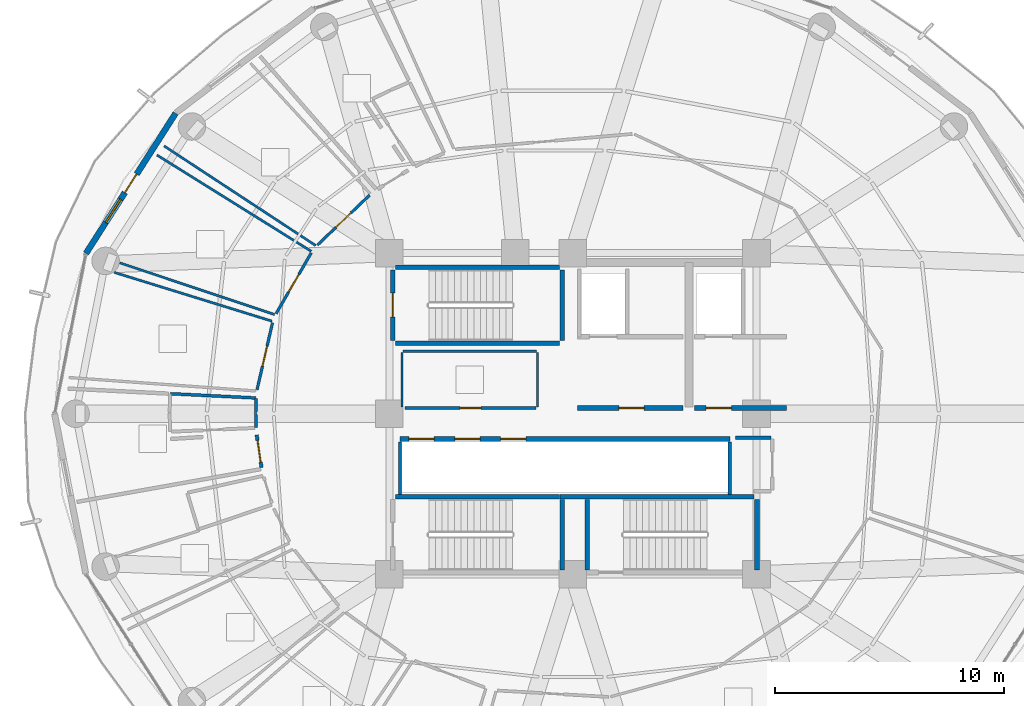
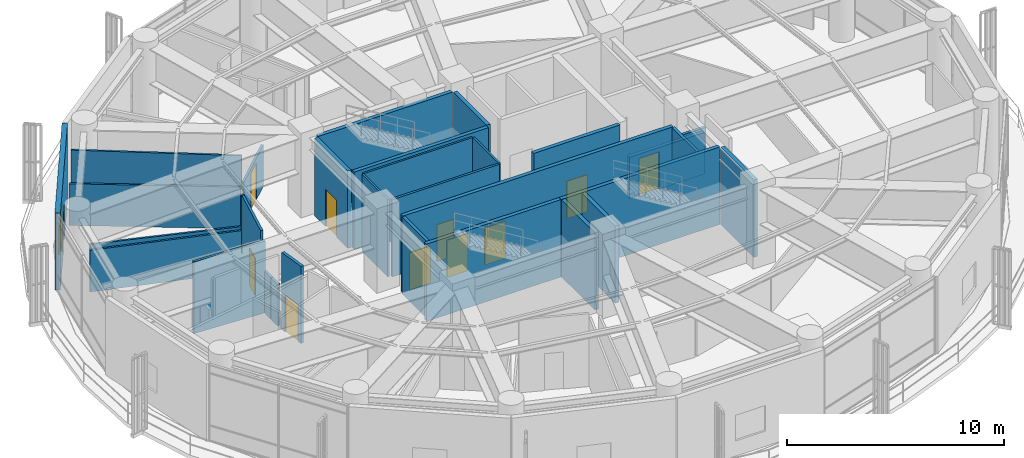
# One storey, part 22 of 28: 31 walls, 12 doors, 1 window, 13 openings.
"""IFC4 building model written with IfcOpenShell, lengths in metres."""

from ifc_helpers import new_model, si_unit, direction, frame, frame_2d, origin, place, context, subcontext, project, spatial, rectangle, extrude, material, layer, layer_set, type_object, element, fill, save


model = new_model("IFC4")

# Units and contexts
model_context = context("Model", 3, precision=1e-05, world=origin(), true_north=direction((0.0, 1.0)))
body_context = subcontext(model_context, "Body", "Model", "MODEL_VIEW")
ifc_project = project(units=[si_unit("LENGTHUNIT", "METRE"), si_unit("AREAUNIT", "SQUARE_METRE"), si_unit("VOLUMEUNIT", "CUBIC_METRE"), si_unit("PLANEANGLEUNIT", "RADIAN"), si_unit("MASSUNIT", "GRAM", prefix="KILO")], contexts=[model_context])

# Site, building, storey
site_placement = place(None, origin())
site = spatial("IfcSite", under=ifc_project, at=site_placement, CompositionType="ELEMENT")
building_placement = place(site_placement, origin())
building = spatial("IfcBuilding", under=site, at=building_placement, Name="Kelanora Arch Commons", CompositionType="ELEMENT")
storey_placement = place(building_placement, frame((0.0, 0.0, 184.35009765625)))
storey = spatial("IfcBuildingStorey", under=building, at=storey_placement, Name="L47", CompositionType="ELEMENT", Elevation=184.35009765625)

# Walls
ifc_material_1 = material(Name="Autoclaved aerated concrete blockwork with fire plaster", Category="masonry")
ifc_layer_1 = layer(ifc_material_1, 0.14990234375)
ifc_layer_set_1 = layer_set([ifc_layer_1], Name="Autoclaved aerated concrete blockwork with fire plaster")
wall_type_1 = type_object("IfcWallType", Name="W-COMP-150", PredefinedType="PARTITIONING", material=ifc_layer_set_1)
for number, where, z_axis, x_axis, name in (
    (1, (66.4599609375, 54.47998046875, 0.0), (0.0, 0.0, 1.0), (0.0, 1.0, 0.0), "South Lift Bank West Wall L47"),
    (2, (80.840087890625, 54.47998046875, 0.0), (0.0, 0.0, 1.0), (0.0, 1.0, 0.0), "South Lift Bank East Wall L47"),
):
    element("IfcWall", number, at=place(storey_placement, frame(where, z_axis=z_axis, x_axis=x_axis)), inside=storey, type_object=wall_type_1, Name=name, PredefinedType="PARTITIONING", context=body_context, shape_type="SweptSolid", body=[
        extrude(rectangle(XDim=2.2900390625, YDim=0.14990234375, at=frame_2d((1.14501953125, 0.0))), origin(), (0.0, 0.0, 1.0), 4.349853515625),
    ])

# Wall, opening, door
wall_1_placement = place(storey_placement, frame((60.212890625, 57.07568359375, 0.0), z_axis=(0.0, 0.0, 1.0), x_axis=(0.146099718117, -0.98926986832, 0.0)))
wall_1 = element("IfcWall", 3, at=wall_1_placement, inside=storey, type_object=wall_type_1, Name="Co-Living Studio L47-05 Entry Partition", PredefinedType="PARTITIONING", context=body_context, shape_type="SweptSolid", body=[
    extrude(rectangle(XDim=1.438720703125, YDim=0.14990234375, at=frame_2d((0.71923828125, 0.0))), origin(), (0.0, 0.0, 1.0), 4.349853515625),
])
opening_1_placement = place(wall_1_placement, frame((0.243896484375, 0.0, 0.0)))
opening_1 = element("IfcOpeningElement", 4, at=opening_1_placement, cuts=wall_1, Name="Opening D-CLU1", PredefinedType="OPENING", context=body_context, shape_type="SweptSolid", body=[
    extrude(rectangle(XDim=0.949951171875, YDim=2.080078125, at=frame_2d((0.47509765625, 1.0400390625))), frame((0.0, 0.0849609375, 0.0), z_axis=(0.0, -1.0, 0.0), x_axis=(1.0, 0.0, 0.0)), (0.0, 0.0, 1.0), 0.169921875),
])
ifc_material_2 = material(Name="Solid-core acoustic timber cluster entry fire door", Category="wood")
door_type_1 = type_object("IfcDoorType", Name="D-CLU-95", OperationType="NOTDEFINED", PredefinedType="DOOR", material=ifc_material_2)
door_1_placement = place(opening_1_placement, origin())
door_1 = element("IfcDoor", 5, at=door_1_placement, inside=storey, type_object=door_type_1, Name="Co-Living Studio L47-05 Door", OperationType="SINGLE_SWING_LEFT", OverallHeight=2.080078125, OverallWidth=0.949951171875, PredefinedType="DOOR", context=body_context, shape_type="SweptSolid", body=[
    extrude(rectangle(XDim=0.949951171875, YDim=2.080078125, at=frame_2d((0.47509765625, 1.0400390625))), frame((0.0, 0.02490234375, 0.0), z_axis=(0.0, -1.0, 0.0), x_axis=(1.0, 0.0, 0.0)), (0.0, 0.0, 1.0), 0.050048828125),
])
fill(opening_1, door_1)

# Wall
wall_2_placement = place(storey_placement, frame((82.639892578125, 56.949951171875, 0.0), z_axis=(0.0, 0.0, 1.0), x_axis=(-1.0, 0.0, 0.0)))
element("IfcWall", 6, at=wall_2_placement, inside=storey, type_object=wall_type_1, Name="Core Housekeeping Store L47 Enclosure Partition 3", PredefinedType="PARTITIONING", context=body_context, shape_type="SweptSolid", body=[
    extrude(rectangle(XDim=1.5498046875, YDim=0.14990234375, at=frame_2d((0.77490234375, 0.0))), origin(), (0.0, 0.0, 1.0), 3.64501953125),
])

# Wall, openings, door, window
ifc_material_3 = material(Name="Precast concrete C40/50 with terracotta rainscreen", Category="masonry")
ifc_layer_2 = layer(ifc_material_3, 0.260009765625)
ifc_layer_set_2 = layer_set([ifc_layer_2], Name="Precast concrete C40/50 with terracotta rainscreen")
wall_type_2 = type_object("IfcWallType", Name="W-EXT-TC", PredefinedType="SOLIDWALL", material=ifc_layer_set_2)
wall_3_placement = place(storey_placement, frame((56.67919921875, 71.100341796875, 0.0), z_axis=(0.0, 0.0, 1.0), x_axis=(-0.538801521808, -0.842432739213, 0.0)))
wall_3 = element("IfcWall", 7, at=wall_3_placement, inside=storey, type_object=wall_type_2, Name="Terracotta Exterior Wall L47-B07", PredefinedType="SOLIDWALL", context=body_context, shape_type="SweptSolid", body=[
    extrude(rectangle(XDim=7.25341796875, YDim=0.260009765625, at=frame_2d((3.626708984375, 0.0))), origin(), (0.0, 0.0, 1.0), 4.344970703125),
])
opening_2_placement = place(wall_3_placement, frame((3.152099609375, 0.0, 0.0)))
opening_2 = element("IfcOpeningElement", 8, at=opening_2_placement, cuts=wall_3, Name="Opening DB-01", PredefinedType="OPENING", context=body_context, shape_type="SweptSolid", body=[
    extrude(rectangle(XDim=0.949951171875, YDim=2.10009765625, at=frame_2d((0.47509765625, 1.050048828125))), frame((0.0, 0.14013671875, 0.0), z_axis=(0.0, -1.0, 0.0), x_axis=(1.0, 0.0, 0.0)), (0.0, 0.0, 1.0), 0.280029296875),
])
opening_3_placement = place(wall_3_placement, frame((4.451904296875, 0.0, 0.85009765625)))
opening_3 = element("IfcOpeningElement", 9, at=opening_3_placement, cuts=wall_3, Name="Opening WN-02", PredefinedType="OPENING", context=body_context, shape_type="SweptSolid", body=[
    extrude(rectangle(XDim=1.199951171875, YDim=1.449951171875, at=frame_2d((0.60009765625, 0.72509765625))), frame((0.0, 0.14013671875, 0.0), z_axis=(0.0, -1.0, 0.0), x_axis=(1.0, 0.0, 0.0)), (0.0, 0.0, 1.0), 0.280029296875),
])
ifc_material_4 = material(Name="Terracotta-aluminium thermally broken glazed balcony door", Category="masonry")
door_type_2 = type_object("IfcDoorType", Name="D-BAL-10", OperationType="NOTDEFINED", PredefinedType="DOOR", material=ifc_material_4)
door_2_placement = place(opening_2_placement, frame((0.949951171875, 0.0, 0.0), z_axis=(0.0, 0.0, 1.0), x_axis=(-1.0, 0.0, 0.0)))
door_2 = element("IfcDoor", 10, at=door_2_placement, inside=storey, type_object=door_type_2, Name="Wave Balcony Door L47-B07", OperationType="SINGLE_SWING_LEFT", OverallHeight=2.10009765625, OverallWidth=0.949951171875, PredefinedType="DOOR", context=body_context, shape_type="SweptSolid", body=[
    extrude(rectangle(XDim=0.949951171875, YDim=2.10009765625, at=frame_2d((0.47509765625, 1.050048828125))), frame((0.0, 0.02490234375, 0.0), z_axis=(0.0, -1.0, 0.0), x_axis=(1.0, 0.0, 0.0)), (0.0, 0.0, 1.0), 0.050048828125),
])
fill(opening_2, door_2)
ifc_material_5 = material(Name="Terracotta-anodised aluminium frame with operable awning sash", Category="masonry")
window_type = type_object("IfcWindowType", Name="WIN-CL-12", PartitioningType="SINGLE_PANEL", PredefinedType="WINDOW", material=ifc_material_5)
window_placement = place(opening_3_placement, origin())
window = element("IfcWindow", 11, at=window_placement, inside=storey, type_object=window_type, Name="Co-Living Operable Window L47-B07", OverallHeight=1.449951171875, OverallWidth=1.199951171875, PartitioningType="SINGLE_PANEL", PredefinedType="WINDOW", context=body_context, shape_type="SweptSolid", body=[
    extrude(rectangle(XDim=1.199951171875, YDim=1.449951171875, at=frame_2d((0.60009765625, 0.72509765625))), frame((0.0, 0.030029296875, 0.0), z_axis=(0.0, -1.0, 0.0), x_axis=(1.0, 0.0, 0.0)), (0.0, 0.0, 1.0), 0.06005859375),
])
fill(opening_3, window)

# Wall, opening, door
ifc_material_6 = material(Name="Concrete C40/50", Category="concrete")
ifc_layer_3 = layer(ifc_material_6, 0.199951171875)
ifc_layer_set_3 = layer_set([ifc_layer_3], Name="Concrete C40/50")
wall_type_3 = type_object("IfcWallType", Name="W-FFL-200", PredefinedType="SOLIDWALL", material=ifc_layer_set_3)
wall_4_placement = place(storey_placement, frame((74.199951171875, 58.25, 0.0), z_axis=(0.0, 0.0, 1.0), x_axis=(1.0, 0.0, 0.0)))
wall_4 = element("IfcWall", 12, at=wall_4_placement, inside=storey, type_object=wall_type_3, Name="Firefighting Lobby 1 Enclosure Wall L47", PredefinedType="SOLIDWALL", context=body_context, shape_type="SweptSolid", body=[
    extrude(rectangle(XDim=4.60009765625, YDim=0.199951171875, at=frame_2d((2.300048828125, 0.0))), origin(), (0.0, 0.0, 1.0), 4.349853515625),
])
opening_4_placement = place(wall_4_placement, frame((1.800048828125, 0.0, 0.0)))
opening_4 = element("IfcOpeningElement", 13, at=opening_4_placement, cuts=wall_4, Name="Opening D-FFL1", PredefinedType="OPENING", context=body_context, shape_type="SweptSolid", body=[
    extrude(rectangle(XDim=1.10009765625, YDim=2.10009765625, at=frame_2d((0.550048828125, 1.050048828125))), frame((0.0, 0.10986328125, 0.0), z_axis=(0.0, -1.0, 0.0), x_axis=(1.0, 0.0, 0.0)), (0.0, 0.0, 1.0), 0.219970703125),
])
ifc_material_7 = material(Name="Smoke-sealed firefighting lobby fire door")
door_type_3 = type_object("IfcDoorType", Name="D-FFL-110", OperationType="NOTDEFINED", PredefinedType="DOOR", material=ifc_material_7)
door_3_placement = place(opening_4_placement, frame((1.10009765625, 0.0, 0.0), z_axis=(0.0, 0.0, 1.0), x_axis=(-1.0, 0.0, 0.0)))
door_3 = element("IfcDoor", 14, at=door_3_placement, inside=storey, type_object=door_type_3, Name="Firefighting Lobby 1 Door L47", OperationType="SINGLE_SWING_LEFT", OverallHeight=2.10009765625, OverallWidth=1.10009765625, PredefinedType="DOOR", context=body_context, shape_type="SweptSolid", body=[
    extrude(rectangle(XDim=1.10009765625, YDim=2.10009765625, at=frame_2d((0.550048828125, 1.050048828125))), frame((0.0, 0.02490234375, 0.0), z_axis=(0.0, -1.0, 0.0), x_axis=(1.0, 0.0, 0.0)), (0.0, 0.0, 1.0), 0.050048828125),
])
fill(opening_4, door_3)

wall_5_placement = place(storey_placement, frame((79.300048828125, 58.25, 0.0), z_axis=(0.0, 0.0, 1.0), x_axis=(1.0, 0.0, 0.0)))
wall_5 = element("IfcWall", 15, at=wall_5_placement, inside=storey, type_object=wall_type_3, Name="Firefighting Lobby 2 Enclosure Wall L47", PredefinedType="SOLIDWALL", context=body_context, shape_type="SweptSolid", body=[
    extrude(rectangle(XDim=4.0, YDim=0.199951171875, at=frame_2d((2.0, 0.0))), origin(), (0.0, 0.0, 1.0), 2.344970703125),
])
opening_5_placement = place(wall_5_placement, frame((0.5, 0.0, 0.0)))
opening_5 = element("IfcOpeningElement", 16, at=opening_5_placement, cuts=wall_5, Name="Opening D-FFL1", PredefinedType="OPENING", context=body_context, shape_type="SweptSolid", body=[
    extrude(rectangle(XDim=1.10009765625, YDim=2.10009765625, at=frame_2d((0.550048828125, 1.050048828125))), frame((0.0, 0.10986328125, 0.0), z_axis=(0.0, -1.0, 0.0), x_axis=(1.0, 0.0, 0.0)), (0.0, 0.0, 1.0), 0.219970703125),
])
door_4_placement = place(opening_5_placement, frame((1.10009765625, 0.0, 0.0), z_axis=(0.0, 0.0, 1.0), x_axis=(-1.0, 0.0, 0.0)))
door_4 = element("IfcDoor", 17, at=door_4_placement, inside=storey, type_object=door_type_3, Name="Firefighting Lobby 2 Door L47", OperationType="SINGLE_SWING_RIGHT", OverallHeight=2.10009765625, OverallWidth=1.10009765625, PredefinedType="DOOR", context=body_context, shape_type="SweptSolid", body=[
    extrude(rectangle(XDim=1.10009765625, YDim=2.10009765625, at=frame_2d((0.550048828125, 1.050048828125))), frame((0.0, 0.02490234375, 0.0), z_axis=(0.0, -1.0, 0.0), x_axis=(1.0, 0.0, 0.0)), (0.0, 0.0, 1.0), 0.050048828125),
])
fill(opening_5, door_4)

# Wall, openings, doors
wall_6_placement = place(storey_placement, frame((66.449951171875, 56.89990234375, 0.0), z_axis=(0.0, 0.0, 1.0), x_axis=(1.0, 0.0, 0.0)))
wall_6 = element("IfcWall", 18, at=wall_6_placement, inside=storey, type_object=wall_type_3, Name="Mid/High/Express Lift Shaft Front L47", PredefinedType="SOLIDWALL", context=body_context, shape_type="SweptSolid", body=[
    extrude(rectangle(XDim=14.400146484375, YDim=0.199951171875, at=frame_2d((7.2001953125, 0.0))), origin(), (0.0, 0.0, 1.0), 4.349853515625),
])
opening_6_placement = place(wall_6_placement, frame((0.39990234375, 0.0, 0.0)))
opening_6 = element("IfcOpeningElement", 19, at=opening_6_placement, cuts=wall_6, Name="Opening LD-01", PredefinedType="OPENING", context=body_context, shape_type="SweptSolid", body=[
    extrude(rectangle(XDim=1.10009765625, YDim=2.10009765625, at=frame_2d((0.550048828125, 1.050048828125))), frame((0.0, 0.10986328125, 0.0), z_axis=(0.0, -1.0, 0.0), x_axis=(1.0, 0.0, 0.0)), (0.0, 0.0, 1.0), 0.219970703125),
])
opening_7_placement = place(wall_6_placement, frame((2.39990234375, 0.0, 0.0)))
opening_7 = element("IfcOpeningElement", 20, at=opening_7_placement, cuts=wall_6, Name="Opening LD-01", PredefinedType="OPENING", context=body_context, shape_type="SweptSolid", body=[
    extrude(rectangle(XDim=1.10009765625, YDim=2.10009765625, at=frame_2d((0.550048828125, 1.050048828125))), frame((0.0, 0.10986328125, 0.0), z_axis=(0.0, -1.0, 0.0), x_axis=(1.0, 0.0, 0.0)), (0.0, 0.0, 1.0), 0.219970703125),
])
opening_8_placement = place(wall_6_placement, frame((4.39990234375, 0.0, 0.0)))
opening_8 = element("IfcOpeningElement", 21, at=opening_8_placement, cuts=wall_6, Name="Opening LD-01", PredefinedType="OPENING", context=body_context, shape_type="SweptSolid", body=[
    extrude(rectangle(XDim=1.10009765625, YDim=2.10009765625, at=frame_2d((0.550048828125, 1.050048828125))), frame((0.0, 0.10986328125, 0.0), z_axis=(0.0, -1.0, 0.0), x_axis=(1.0, 0.0, 0.0)), (0.0, 0.0, 1.0), 0.219970703125),
])
ifc_material_8 = material(Name="Stainless steel passenger lift sliding landing door", Category="steel")
door_type_4 = type_object("IfcDoorType", Name="D-LIFT-110", OperationType="NOTDEFINED", PredefinedType="DOOR", material=ifc_material_8)
door_5_placement = place(opening_6_placement, origin())
door_5 = element("IfcDoor", 22, at=door_5_placement, inside=storey, type_object=door_type_4, Name="Passenger Lift LF-P4 Landing Door L47", OperationType="DOUBLE_DOOR_SLIDING", OverallHeight=2.10009765625, OverallWidth=1.10009765625, PredefinedType="DOOR", context=body_context, shape_type="SweptSolid", body=[
    extrude(rectangle(XDim=1.10009765625, YDim=2.10009765625, at=frame_2d((0.550048828125, 1.050048828125))), frame((0.0, 0.02490234375, 0.0), z_axis=(0.0, -1.0, 0.0), x_axis=(1.0, 0.0, 0.0)), (0.0, 0.0, 1.0), 0.050048828125),
])
fill(opening_6, door_5)
door_6_placement = place(opening_7_placement, origin())
door_6 = element("IfcDoor", 23, at=door_6_placement, inside=storey, type_object=door_type_4, Name="Passenger Lift LF-P5 Landing Door L47", OperationType="DOUBLE_DOOR_SLIDING", OverallHeight=2.10009765625, OverallWidth=1.10009765625, PredefinedType="DOOR", context=body_context, shape_type="SweptSolid", body=[
    extrude(rectangle(XDim=1.10009765625, YDim=2.10009765625, at=frame_2d((0.550048828125, 1.050048828125))), frame((0.0, 0.02490234375, 0.0), z_axis=(0.0, -1.0, 0.0), x_axis=(1.0, 0.0, 0.0)), (0.0, 0.0, 1.0), 0.050048828125),
])
fill(opening_7, door_6)
door_7_placement = place(opening_8_placement, origin())
door_7 = element("IfcDoor", 24, at=door_7_placement, inside=storey, type_object=door_type_4, Name="Passenger Lift LF-P6 Landing Door L47", OperationType="DOUBLE_DOOR_SLIDING", OverallHeight=2.10009765625, OverallWidth=1.10009765625, PredefinedType="DOOR", context=body_context, shape_type="SweptSolid", body=[
    extrude(rectangle(XDim=1.10009765625, YDim=2.10009765625, at=frame_2d((0.550048828125, 1.050048828125))), frame((0.0, 0.02490234375, 0.0), z_axis=(0.0, -1.0, 0.0), x_axis=(1.0, 0.0, 0.0)), (0.0, 0.0, 1.0), 0.050048828125),
])
fill(opening_8, door_7)

# Walls
ifc_material_9 = material(Name="Lightweight fire-rated acoustic stud partition")
ifc_layer_4 = layer(ifc_material_9, 0.10009765625)
ifc_layer_set_4 = layer_set([ifc_layer_4], Name="Lightweight fire-rated acoustic stud partition")
wall_type_4 = type_object("IfcWallType", Name="W-PART-100", PredefinedType="PARTITIONING", material=ifc_layer_set_4)
wall_7_placement = place(storey_placement, frame((72.449951171875, 58.2900390625, 0.0), z_axis=(0.0, 0.0, 1.0), x_axis=(0.0, 1.0, 0.0)))
element("IfcWall", 25, at=wall_7_placement, inside=storey, type_object=wall_type_4, Name="Reclaimed Core Study Pod Lounge L47 Enclosure Partition 2", PredefinedType="PARTITIONING", context=body_context, shape_type="SweptSolid", body=[
    extrude(rectangle(XDim=2.389892578125, YDim=0.10009765625, at=frame_2d((1.19482421875, 0.0))), origin(), (0.0, 0.0, 1.0), 4.349853515625),
])
wall_8_placement = place(storey_placement, frame((72.409912109375, 60.719970703125, 0.0), z_axis=(0.0, 0.0, 1.0), x_axis=(-1.0, 0.0, 0.0)))
element("IfcWall", 26, at=wall_8_placement, inside=storey, type_object=wall_type_4, Name="Reclaimed Core Study Pod Lounge L47 Enclosure Partition 3", PredefinedType="PARTITIONING", context=body_context, shape_type="SweptSolid", body=[
    extrude(rectangle(XDim=5.81982421875, YDim=0.10009765625, at=frame_2d((2.909912109375, 0.0))), origin(), (0.0, 0.0, 1.0), 4.349853515625),
])
wall_9_placement = place(storey_placement, frame((66.550048828125, 60.679931640625, 0.0), z_axis=(0.0, 0.0, 1.0), x_axis=(0.0, -1.0, 0.0)))
element("IfcWall", 27, at=wall_9_placement, inside=storey, type_object=wall_type_4, Name="Reclaimed Core Study Pod Lounge L47 Enclosure Partition 4", PredefinedType="PARTITIONING", context=body_context, shape_type="SweptSolid", body=[
    extrude(rectangle(XDim=2.383056640625, YDim=0.10009765625, at=frame_2d((1.19140625, 0.0))), origin(), (0.0, 0.0, 1.0), 4.349853515625),
])
wall_10_placement = place(storey_placement, frame((62.78271484375, 65.333984375, 0.0), z_axis=(0.0, 0.0, 1.0), x_axis=(-0.835790537916, 0.549048428401, 0.0)))
element("IfcWall", 28, at=wall_10_placement, inside=storey, type_object=wall_type_4, Name="Quiet Seminar Study Room L47-02 Enclosure Partition 2", PredefinedType="PARTITIONING", context=body_context, shape_type="SweptSolid", body=[
    extrude(rectangle(XDim=7.903076171875, YDim=0.10009765625, at=frame_2d((3.95166015625, 0.0))), origin(), (0.0, 0.0, 1.0), 3.89501953125),
])
wall_11_placement = place(storey_placement, frame((60.9912109375, 62.32470703125, 0.0), z_axis=(0.0, 0.0, 1.0), x_axis=(-0.948483978449, 0.316825097847, 0.0)))
element("IfcWall", 29, at=wall_11_placement, inside=storey, type_object=wall_type_4, Name="Shared Cluster Kitchen L47-03 Enclosure Partition 2", PredefinedType="PARTITIONING", context=body_context, shape_type="SweptSolid", body=[
    extrude(rectangle(XDim=7.11083984375, YDim=0.10009765625, at=frame_2d((3.555419921875, 0.0))), origin(), (0.0, 0.0, 1.0), 2.344970703125),
])
wall_12_placement = place(storey_placement, frame((55.865966796875, 69.27685546875, 0.0), z_axis=(0.0, 0.0, 1.0), x_axis=(0.84851390129, -0.529173090129, 0.0)))
element("IfcWall", 30, at=wall_12_placement, inside=storey, type_object=wall_type_4, Name="Shared Cluster Kitchen L47-03 Enclosure Partition 4", PredefinedType="PARTITIONING", context=body_context, shape_type="SweptSolid", body=[
    extrude(rectangle(XDim=7.921142578125, YDim=0.10009765625, at=frame_2d((3.96044921875, 0.0))), origin(), (0.0, 0.0, 1.0), 2.344970703125),
])
wall_13_placement = place(storey_placement, frame((54.0029296875, 64.1630859375, 0.0), z_axis=(0.0, 0.0, 1.0), x_axis=(0.955390108929, -0.295346812679, 0.0)))
element("IfcWall", 31, at=wall_13_placement, inside=storey, type_object=wall_type_4, Name="Social Sky Lounge L47-04 Enclosure Partition 4", PredefinedType="PARTITIONING", context=body_context, shape_type="SweptSolid", body=[
    extrude(rectangle(XDim=7.19580078125, YDim=0.10009765625, at=frame_2d((3.597900390625, 0.0))), origin(), (0.0, 0.0, 1.0), 2.344970703125),
])

# Wall, opening, door
ifc_material_10 = material(Name="Acoustic twin-stud fire-rated gypsum partition")
ifc_layer_5 = layer(ifc_material_10, 0.1201171875)
ifc_layer_set_5 = layer_set([ifc_layer_5], Name="Acoustic twin-stud fire-rated gypsum partition")
wall_type_5 = type_object("IfcWallType", Name="W-PART-120", PredefinedType="PARTITIONING", material=ifc_layer_set_5)
wall_14_placement = place(storey_placement, frame((66.67529296875, 58.25, 0.0), z_axis=(0.0, 0.0, 1.0), x_axis=(1.0, 0.0, 0.0)))
wall_14 = element("IfcWall", 32, at=wall_14_placement, inside=storey, type_object=wall_type_5, Name="Reclaimed Core Study Pod Lounge L47 Entry Partition", PredefinedType="PARTITIONING", context=body_context, shape_type="SweptSolid", body=[
    extrude(rectangle(XDim=5.714599609375, YDim=0.1201171875, at=frame_2d((2.857421875, 0.0))), origin(), (0.0, 0.0, 1.0), 4.349853515625),
])
opening_9_placement = place(wall_14_placement, frame((2.406982421875, 0.0, 0.0)))
opening_9 = element("IfcOpeningElement", 33, at=opening_9_placement, cuts=wall_14, Name="Opening D-RM1", PredefinedType="OPENING", context=body_context, shape_type="SweptSolid", body=[
    extrude(rectangle(XDim=0.89990234375, YDim=2.080078125, at=frame_2d((0.449951171875, 1.0400390625))), frame((0.0, 0.070068359375, 0.0), z_axis=(0.0, -1.0, 0.0), x_axis=(1.0, 0.0, 0.0)), (0.0, 0.0, 1.0), 0.14013671875),
])
ifc_material_11 = material(Name="Acoustic fire-rated timber study and lounge door", Category="wood")
door_type_5 = type_object("IfcDoorType", Name="D-ROOM-90", OperationType="NOTDEFINED", PredefinedType="DOOR", material=ifc_material_11)
door_8_placement = place(opening_9_placement, origin())
door_8 = element("IfcDoor", 34, at=door_8_placement, inside=storey, type_object=door_type_5, Name="Reclaimed Core Study Pod Lounge L47 Door", OperationType="SINGLE_SWING_RIGHT", OverallHeight=2.080078125, OverallWidth=0.89990234375, PredefinedType="DOOR", context=body_context, shape_type="SweptSolid", body=[
    extrude(rectangle(XDim=0.89990234375, YDim=2.080078125, at=frame_2d((0.449951171875, 1.0400390625))), frame((0.0, 0.02490234375, 0.0), z_axis=(0.0, -1.0, 0.0), x_axis=(1.0, 0.0, 0.0)), (0.0, 0.0, 1.0), 0.050048828125),
])
fill(opening_9, door_8)

wall_15_placement = place(storey_placement, frame((65.134765625, 67.531494140625, 0.0), z_axis=(0.0, 0.0, 1.0), x_axis=(-0.722401093559, -0.691474265627, 0.0)))
wall_15 = element("IfcWall", 35, at=wall_15_placement, inside=storey, type_object=wall_type_5, Name="Quiet Seminar Study Room L47-02 Entry Partition", PredefinedType="PARTITIONING", context=body_context, shape_type="SweptSolid", body=[
    extrude(rectangle(XDim=3.149658203125, YDim=0.1201171875, at=frame_2d((1.57470703125, 0.0))), origin(), (0.0, 0.0, 1.0), 2.344970703125),
])
opening_10_placement = place(wall_15_placement, frame((1.125, 0.0, 0.0)))
opening_10 = element("IfcOpeningElement", 36, at=opening_10_placement, cuts=wall_15, Name="Opening D-RM1", PredefinedType="OPENING", context=body_context, shape_type="SweptSolid", body=[
    extrude(rectangle(XDim=0.89990234375, YDim=2.080078125, at=frame_2d((0.449951171875, 1.0400390625))), frame((0.0, 0.070068359375, 0.0), z_axis=(0.0, -1.0, 0.0), x_axis=(1.0, 0.0, 0.0)), (0.0, 0.0, 1.0), 0.14013671875),
])
door_9_placement = place(opening_10_placement, origin())
door_9 = element("IfcDoor", 37, at=door_9_placement, inside=storey, type_object=door_type_5, Name="Quiet Seminar Study Room L47-02 Door", OperationType="SINGLE_SWING_LEFT", OverallHeight=2.080078125, OverallWidth=0.89990234375, PredefinedType="DOOR", context=body_context, shape_type="SweptSolid", body=[
    extrude(rectangle(XDim=0.89990234375, YDim=2.080078125, at=frame_2d((0.449951171875, 1.0400390625))), frame((0.0, 0.02490234375, 0.0), z_axis=(0.0, -1.0, 0.0), x_axis=(1.0, 0.0, 0.0)), (0.0, 0.0, 1.0), 0.050048828125),
])
fill(opening_10, door_9)

wall_16_placement = place(storey_placement, frame((62.591064453125, 65.01220703125, 0.0), z_axis=(0.0, 0.0, 1.0), x_axis=(-0.500746842293, -0.865593784598, 0.0)))
wall_16 = element("IfcWall", 38, at=wall_16_placement, inside=storey, type_object=wall_type_5, Name="Shared Cluster Kitchen L47-03 Entry Partition", PredefinedType="PARTITIONING", context=body_context, shape_type="SweptSolid", body=[
    extrude(rectangle(XDim=3.059326171875, YDim=0.1201171875, at=frame_2d((1.52978515625, 0.0))), origin(), (0.0, 0.0, 1.0), 2.344970703125),
])
opening_11_placement = place(wall_16_placement, frame((1.080078125, 0.0, 0.0)))
opening_11 = element("IfcOpeningElement", 39, at=opening_11_placement, cuts=wall_16, Name="Opening D-RM1", PredefinedType="OPENING", context=body_context, shape_type="SweptSolid", body=[
    extrude(rectangle(XDim=0.89990234375, YDim=2.080078125, at=frame_2d((0.449951171875, 1.0400390625))), frame((0.0, 0.070068359375, 0.0), z_axis=(0.0, -1.0, 0.0), x_axis=(1.0, 0.0, 0.0)), (0.0, 0.0, 1.0), 0.14013671875),
])
door_10_placement = place(opening_11_placement, origin())
door_10 = element("IfcDoor", 40, at=door_10_placement, inside=storey, type_object=door_type_5, Name="Shared Cluster Kitchen L47-03 Door", OperationType="SINGLE_SWING_RIGHT", OverallHeight=2.080078125, OverallWidth=0.89990234375, PredefinedType="DOOR", context=body_context, shape_type="SweptSolid", body=[
    extrude(rectangle(XDim=0.89990234375, YDim=2.080078125, at=frame_2d((0.449951171875, 1.0400390625))), frame((0.0, 0.02490234375, 0.0), z_axis=(0.0, -1.0, 0.0), x_axis=(1.0, 0.0, 0.0)), (0.0, 0.0, 1.0), 0.050048828125),
])
fill(opening_11, door_10)

wall_17_placement = place(storey_placement, frame((60.902587890625, 61.967529296875, 0.0), z_axis=(0.0, 0.0, 1.0), x_axis=(-0.225317744346, -0.974285335045, 0.0)))
wall_17 = element("IfcWall", 41, at=wall_17_placement, inside=storey, type_object=wall_type_5, Name="Social Sky Lounge L47-04 Entry Partition", PredefinedType="PARTITIONING", context=body_context, shape_type="SweptSolid", body=[
    extrude(rectangle(XDim=2.99609375, YDim=0.1201171875, at=frame_2d((1.498046875, 0.0))), origin(), (0.0, 0.0, 1.0), 4.349853515625),
])
opening_12_placement = place(wall_17_placement, frame((1.048095703125, 0.0, 0.0)))
opening_12 = element("IfcOpeningElement", 42, at=opening_12_placement, cuts=wall_17, Name="Opening D-RM1", PredefinedType="OPENING", context=body_context, shape_type="SweptSolid", body=[
    extrude(rectangle(XDim=0.89990234375, YDim=2.080078125, at=frame_2d((0.449951171875, 1.0400390625))), frame((0.0, 0.070068359375, 0.0), z_axis=(0.0, -1.0, 0.0), x_axis=(1.0, 0.0, 0.0)), (0.0, 0.0, 1.0), 0.14013671875),
])
door_11_placement = place(opening_12_placement, origin())
door_11 = element("IfcDoor", 43, at=door_11_placement, inside=storey, type_object=door_type_5, Name="Social Sky Lounge L47-04 Door", OperationType="SINGLE_SWING_LEFT", OverallHeight=2.080078125, OverallWidth=0.89990234375, PredefinedType="DOOR", context=body_context, shape_type="SweptSolid", body=[
    extrude(rectangle(XDim=0.89990234375, YDim=2.080078125, at=frame_2d((0.449951171875, 1.0400390625))), frame((0.0, 0.02490234375, 0.0), z_axis=(0.0, -1.0, 0.0), x_axis=(1.0, 0.0, 0.0)), (0.0, 0.0, 1.0), 0.050048828125),
])
fill(opening_12, door_11)

# Walls
ifc_layer_6 = layer(ifc_material_6, 0.199951171875)
ifc_layer_set_6 = layer_set([ifc_layer_6], Name="Concrete C40/50")
wall_type_6 = type_object("IfcWallType", Name="W-STAIR-200", PredefinedType="SHEAR", material=ifc_layer_set_6)
wall_18_placement = place(storey_placement, frame((66.260009765625, 61.080078125, 0.0), z_axis=(0.0, 0.0, 1.0), x_axis=(1.0, 0.0, 0.0)))
element("IfcWall", 44, at=wall_18_placement, inside=storey, type_object=wall_type_6, Name="Stair ST-T1 Shaft Wall S L47", PredefinedType="SHEAR", context=body_context, shape_type="SweptSolid", body=[
    extrude(rectangle(XDim=7.159912109375, YDim=0.199951171875, at=frame_2d((3.580078125, 0.0))), origin(), (0.0, 0.0, 1.0), 4.35986328125),
])
wall_19_placement = place(storey_placement, frame((73.5400390625, 61.199951171875, 0.0), z_axis=(0.0, 0.0, 1.0), x_axis=(0.0, 1.0, 0.0)))
element("IfcWall", 45, at=wall_19_placement, inside=storey, type_object=wall_type_6, Name="Stair ST-T1 Shaft Wall E L47", PredefinedType="SHEAR", context=body_context, shape_type="SweptSolid", body=[
    extrude(rectangle(XDim=3.070068359375, YDim=0.199951171875, at=frame_2d((1.53515625, 0.0))), origin(), (0.0, 0.0, 1.0), 4.35986328125),
])
wall_20_placement = place(storey_placement, frame((73.419921875, 64.389892578125, 0.0), z_axis=(0.0, 0.0, 1.0), x_axis=(-1.0, 0.0, 0.0)))
element("IfcWall", 46, at=wall_20_placement, inside=storey, type_object=wall_type_6, Name="Stair ST-T1 Shaft Wall N L47", PredefinedType="SHEAR", context=body_context, shape_type="SweptSolid", body=[
    extrude(rectangle(XDim=7.159912109375, YDim=0.199951171875, at=frame_2d((3.580078125, 0.0))), origin(), (0.0, 0.0, 1.0), 4.35986328125),
])

# Wall, opening, door
wall_21_placement = place(storey_placement, frame((66.139892578125, 64.27001953125, 0.0), z_axis=(0.0, 0.0, 1.0), x_axis=(0.0, -1.0, 0.0)))
wall_21 = element("IfcWall", 47, at=wall_21_placement, inside=storey, type_object=wall_type_6, Name="Stair ST-T1 Shaft Wall W L47", PredefinedType="SHEAR", context=body_context, shape_type="SweptSolid", body=[
    extrude(rectangle(XDim=3.070068359375, YDim=0.199951171875, at=frame_2d((1.53515625, 0.0))), origin(), (0.0, 0.0, 1.0), 4.35986328125),
])
opening_13_placement = place(wall_21_placement, frame((1.010009765625, 0.0, 0.0)))
opening_13 = element("IfcOpeningElement", 48, at=opening_13_placement, cuts=wall_21, Name="Opening D-ST1", PredefinedType="OPENING", context=body_context, shape_type="SweptSolid", body=[
    extrude(rectangle(XDim=1.050048828125, YDim=2.10009765625, at=frame_2d((0.52490234375, 1.050048828125))), frame((0.0, 0.10986328125, 0.0), z_axis=(0.0, -1.0, 0.0), x_axis=(1.0, 0.0, 0.0)), (0.0, 0.0, 1.0), 0.219970703125),
])
ifc_material_12 = material(Name="Steel fire-rated stairwell escape door", Category="steel")
door_type_6 = type_object("IfcDoorType", Name="D-STAIR-110", OperationType="NOTDEFINED", PredefinedType="DOOR", material=ifc_material_12)
door_12_placement = place(opening_13_placement, origin())
door_12 = element("IfcDoor", 49, at=door_12_placement, inside=storey, type_object=door_type_6, Name="Stair ST-T1 Escape Door L47", OperationType="SINGLE_SWING_LEFT", OverallHeight=2.10009765625, OverallWidth=1.050048828125, PredefinedType="DOOR", context=body_context, shape_type="SweptSolid", body=[
    extrude(rectangle(XDim=1.050048828125, YDim=2.10009765625, at=frame_2d((0.52490234375, 1.050048828125))), frame((0.0, 0.02490234375, 0.0), z_axis=(0.0, -1.0, 0.0), x_axis=(1.0, 0.0, 0.0)), (0.0, 0.0, 1.0), 0.050048828125),
])
fill(opening_13, door_12)

# Walls
wall_22_placement = place(storey_placement, frame((82.02001953125, 51.199951171875, 0.0), z_axis=(0.0, 0.0, 1.0), x_axis=(0.0, 1.0, 0.0)))
element("IfcWall", 50, at=wall_22_placement, inside=storey, type_object=wall_type_6, Name="Stair ST-T2 Shaft Wall E L47", PredefinedType="SHEAR", context=body_context, shape_type="SweptSolid", body=[
    extrude(rectangle(XDim=3.070068359375, YDim=0.199951171875, at=frame_2d((1.53515625, 0.0))), origin(), (0.0, 0.0, 1.0), 4.35986328125),
])
wall_23_placement = place(storey_placement, frame((81.89990234375, 54.389892578125, 0.0), z_axis=(0.0, 0.0, 1.0), x_axis=(-1.0, 0.0, 0.0)))
element("IfcWall", 51, at=wall_23_placement, inside=storey, type_object=wall_type_6, Name="Stair ST-T2 Shaft Wall N L47", PredefinedType="SHEAR", context=body_context, shape_type="SweptSolid", body=[
    extrude(rectangle(XDim=8.4599609375, YDim=0.199951171875, at=frame_2d((4.22998046875, 0.0))), origin(), (0.0, 0.0, 1.0), 4.35986328125),
])
for number, where, z_axis, x_axis, name in (
    (52, (74.6201171875, 54.27001953125, 0.0), (0.0, 0.0, 1.0), (0.0, -1.0, 0.0), "Stair ST-T2 Shaft Wall W L47"),
    (53, (73.5400390625, 51.199951171875, 0.0), (0.0, 0.0, 1.0), (0.0, 1.0, 0.0), "Stair ST-T3 Shaft Wall E L47"),
):
    element("IfcWall", number, at=place(storey_placement, frame(where, z_axis=z_axis, x_axis=x_axis)), inside=storey, type_object=wall_type_6, Name=name, PredefinedType="SHEAR", context=body_context, shape_type="SweptSolid", body=[
        extrude(rectangle(XDim=3.070068359375, YDim=0.199951171875, at=frame_2d((1.53515625, 0.0))), origin(), (0.0, 0.0, 1.0), 4.35986328125),
    ])
wall_24_placement = place(storey_placement, frame((73.419921875, 54.389892578125, 0.0), z_axis=(0.0, 0.0, 1.0), x_axis=(-1.0, 0.0, 0.0)))
element("IfcWall", 54, at=wall_24_placement, inside=storey, type_object=wall_type_6, Name="Stair ST-T3 Shaft Wall N L47", PredefinedType="SHEAR", context=body_context, shape_type="SweptSolid", body=[
    extrude(rectangle(XDim=7.159912109375, YDim=0.199951171875, at=frame_2d((3.580078125, 0.0))), origin(), (0.0, 0.0, 1.0), 4.35986328125),
])
ifc_material_13 = material(Name="Moisture-resistant fire-rated cement-board plumbing wall")
ifc_layer_7 = layer(ifc_material_13, 0.1298828125)
ifc_layer_set_7 = layer_set([ifc_layer_7], Name="Moisture-resistant fire-rated cement-board plumbing wall")
wall_type_7 = type_object("IfcWallType", Name="W-WET-120", PredefinedType="PLUMBINGWALL", material=ifc_layer_set_7)
wall_25_placement = place(storey_placement, frame((60.1904296875, 58.6669921875, 0.0), z_axis=(0.0, 0.0, 1.0), x_axis=(-0.032292682442, -0.999478455326, 0.0)))
element("IfcWall", 55, at=wall_25_placement, inside=storey, type_object=wall_type_7, Name="En-Suite Shower WC L47-05 Enclosure Partition 1", PredefinedType="PLUMBINGWALL", context=body_context, shape_type="SweptSolid", body=[
    extrude(rectangle(XDim=0.6123046875, YDim=0.1298828125, at=frame_2d((0.30615234375, 0.0))), origin(), (0.0, 0.0, 1.0), 2.344970703125),
])
wall_26_placement = place(storey_placement, frame((60.17041015625, 58.014892578125, 0.0), z_axis=(0.0, 0.0, 1.0), x_axis=(0.026369723842, -0.99965225837, 0.0)))
element("IfcWall", 56, at=wall_26_placement, inside=storey, type_object=wall_type_7, Name="En-Suite Shower WC L47-05 Enclosure Partition 2", PredefinedType="PLUMBINGWALL", context=body_context, shape_type="SweptSolid", body=[
    extrude(rectangle(XDim=0.611083984375, YDim=0.1298828125, at=frame_2d((0.3056640625, 0.0))), origin(), (0.0, 0.0, 1.0), 2.344970703125),
])
wall_27_placement = place(storey_placement, frame((56.4619140625, 58.873046875, 0.0), z_axis=(0.0, 0.0, 1.0), x_axis=(0.998757579638, -0.049832691243, 0.0)))
element("IfcWall", 57, at=wall_27_placement, inside=storey, type_object=wall_type_7, Name="En-Suite Shower WC L47-05 Enclosure Partition 6", PredefinedType="PLUMBINGWALL", context=body_context, shape_type="SweptSolid", body=[
    extrude(rectangle(XDim=3.713623046875, YDim=0.1298828125, at=frame_2d((1.85693359375, 0.0))), origin(), (0.0, 0.0, 1.0), 4.044921875),
])

save(model, "model.ifc")
